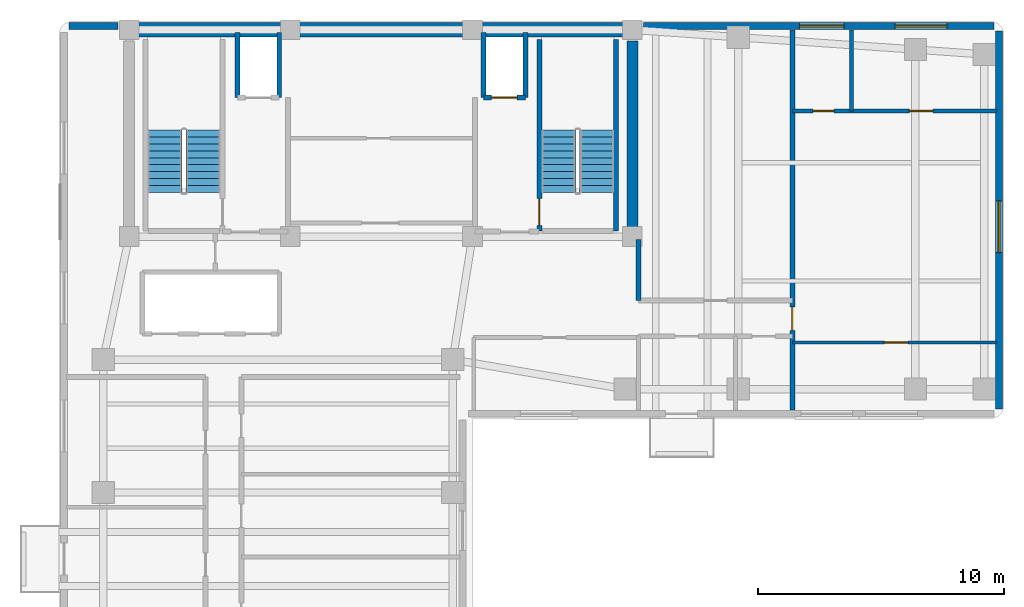
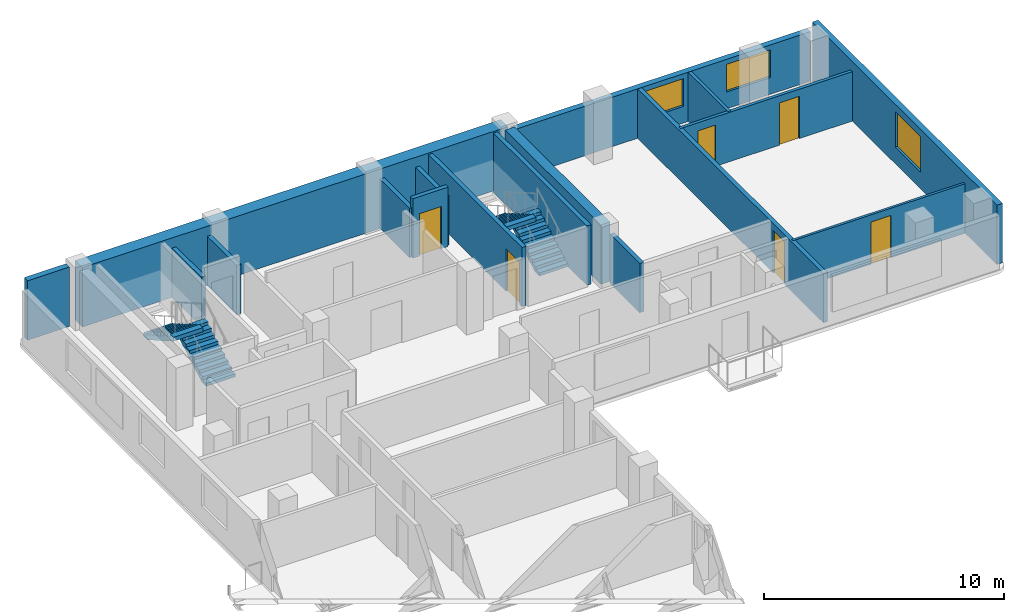
# One storey, part 4 of 6: 17 walls, 6 doors, 4 stair flights, 3 windows, 9 openings, 2 elements without a shape of their own.
"""IFC4 building model written with IfcOpenShell, lengths in metres."""

from ifc_helpers import new_model, si_unit, direction, frame, frame_2d, origin, place, context, subcontext, project, spatial, polyline, rectangle, outline, extrude, material, layer, layer_set, type_object, element, fill, aggregate, save


model = new_model("IFC4")

# Units and contexts
model_context = context("Model", 3, precision=1e-05, world=origin(), true_north=direction((0.0, 1.0)))
body_context = subcontext(model_context, "Body", "Model", "MODEL_VIEW")
ifc_project = project(units=[si_unit("LENGTHUNIT", "METRE"), si_unit("AREAUNIT", "SQUARE_METRE"), si_unit("VOLUMEUNIT", "CUBIC_METRE"), si_unit("PLANEANGLEUNIT", "RADIAN"), si_unit("MASSUNIT", "GRAM", prefix="KILO")], contexts=[model_context])

# Site, building, storey
site_placement = place(None, origin())
site = spatial("IfcSite", under=ifc_project, at=site_placement, CompositionType="ELEMENT")
building_placement = place(site_placement, origin())
building = spatial("IfcBuilding", under=site, at=building_placement, Name="Kuzgunbayir Cultural Tower", CompositionType="ELEMENT")
storey_placement = place(building_placement, frame((0.0, 0.0, 195.199951171875)))
storey = spatial("IfcBuildingStorey", under=building, at=storey_placement, Name="L57", CompositionType="ELEMENT", Elevation=195.199951171875)

# Walls
ifc_material_1 = material(Name="Concrete C50/60", Category="concrete")
ifc_layer_1 = layer(ifc_material_1, 0.449951171875)
ifc_layer_set_1 = layer_set([ifc_layer_1], Name="Concrete C50/60")
wall_type_1 = type_object("IfcWallType", Name="WAL-CORE-450", PredefinedType="SHEAR", material=ifc_layer_set_1)
wall_1_placement = place(storey_placement, frame((26.89990234375, 33.800048828125, 0.0), z_axis=(0.0, 0.0, 1.0), x_axis=(0.0, 1.0, 0.0)))
element("IfcWall", 1, at=wall_1_placement, inside=storey, type_object=wall_type_1, Name="L57 T1 Core East Shear Wall", PredefinedType="SHEAR", context=body_context, shape_type="SweptSolid", body=[
    extrude(rectangle(XDim=7.949951171875, YDim=0.449951171875, at=frame_2d((3.97509765625, 0.0))), origin(), (0.0, 0.0, 1.0), 3.02001953125),
])
ifc_material_2 = material(Name="Concrete C60/75", Category="concrete")
ifc_layer_2 = layer(ifc_material_2, 0.60009765625)
ifc_layer_set_2 = layer_set([ifc_layer_2], Name="Concrete C60/75")
wall_type_2 = type_object("IfcWallType", Name="WAL-CORE-600", PredefinedType="SHEAR", material=ifc_layer_set_2)
wall_2_placement = place(storey_placement, frame((6.449951171875, 42.199951171875, 0.0), z_axis=(0.0, 0.0, 1.0), x_axis=(1.0, 0.0, 0.0)))
element("IfcWall", 2, at=wall_2_placement, inside=storey, type_object=wall_type_2, Name="L57 T1 Core North Shear Wall", PredefinedType="SHEAR", context=body_context, shape_type="SweptSolid", body=[
    extrude(rectangle(XDim=20.449951171875, YDim=0.60009765625, at=frame_2d((10.22509765625, 0.0))), origin(), (0.0, 0.0, 1.0), 3.02001953125),
])

# Wall, openings, windows
ifc_material_3 = material(Name="Anatolian Cream Limestone", Category="masonry")
ifc_layer_3 = layer(ifc_material_3, 0.280029296875)
ifc_layer_set_3 = layer_set([ifc_layer_3], Name="Anatolian Cream Limestone")
wall_type_3 = type_object("IfcWallType", Name="WAL-EXT-STONE-280", PredefinedType="STANDARD", material=ifc_layer_set_3)
wall_3_placement = place(storey_placement, frame((41.60009765625, 42.35009765625, 0.0), z_axis=(0.0, 0.0, 1.0), x_axis=(-1.0, 0.0, 0.0)))
wall_3 = element("IfcWall", 3, at=wall_3_placement, inside=storey, type_object=wall_type_3, Name="L57 North Wing B Limestone Wall", PredefinedType="STANDARD", context=body_context, shape_type="SweptSolid", body=[
    extrude(rectangle(XDim=14.25, YDim=0.280029296875, at=frame_2d((7.125, 0.0))), origin(), (0.0, 0.0, 1.0), 2.510009765625),
])
opening_1_placement = place(wall_3_placement, frame((6.10009765625, 0.0, 0.85009765625)))
opening_1 = element("IfcOpeningElement", 4, at=opening_1_placement, cuts=wall_3, Name="Opening WH-18", PredefinedType="OPENING", context=body_context, shape_type="SweptSolid", body=[
    extrude(rectangle(XDim=1.800048828125, YDim=1.409912109375, at=frame_2d((0.89990234375, 0.705078125))), frame((0.0, 0.14990234375, 0.0), z_axis=(0.0, -1.0, 0.0), x_axis=(1.0, 0.0, 0.0)), (0.0, 0.0, 1.0), 0.300048828125),
])
opening_2_placement = place(wall_3_placement, frame((1.919921875, 0.0, 0.85009765625)))
opening_2 = element("IfcOpeningElement", 5, at=opening_2_placement, cuts=wall_3, Name="Opening WR-21", PredefinedType="OPENING", context=body_context, shape_type="SweptSolid", body=[
    extrude(rectangle(XDim=2.10009765625, YDim=1.409912109375, at=frame_2d((1.050048828125, 0.705078125))), frame((0.0, 0.14990234375, 0.0), z_axis=(0.0, -1.0, 0.0), x_axis=(1.0, 0.0, 0.0)), (0.0, 0.0, 1.0), 0.300048828125),
])
ifc_material_4 = material(Name="Solar-Control Triple Glazing", Category="glass")
window_type_1 = type_object("IfcWindowType", Name="WIN-HOTEL-18", PartitioningType="SINGLE_PANEL", PredefinedType="WINDOW", material=ifc_material_4)
window_1_placement = place(opening_1_placement, origin())
window_1 = element("IfcWindow", 6, at=window_1_placement, inside=storey, type_object=window_type_1, Name="L57 CRN Facade Window 8", OverallHeight=1.409912109375, OverallWidth=1.800048828125, PartitioningType="SINGLE_PANEL", PredefinedType="WINDOW", context=body_context, shape_type="SweptSolid", body=[
    extrude(rectangle(XDim=1.800048828125, YDim=1.409912109375, at=frame_2d((0.89990234375, 0.705078125))), frame((0.0, 0.030029296875, 0.0), z_axis=(0.0, -1.0, 0.0), x_axis=(1.0, 0.0, 0.0)), (0.0, 0.0, 1.0), 0.06005859375),
])
fill(opening_1, window_1)
window_type_2 = type_object("IfcWindowType", Name="WIN-RESID-21", PartitioningType="SINGLE_PANEL", PredefinedType="WINDOW", material=ifc_material_4)
window_2_placement = place(opening_2_placement, origin())
window_2 = element("IfcWindow", 7, at=window_2_placement, inside=storey, type_object=window_type_2, Name="L57 CRN Facade Window 9", OverallHeight=1.409912109375, OverallWidth=2.10009765625, PartitioningType="SINGLE_PANEL", PredefinedType="WINDOW", context=body_context, shape_type="SweptSolid", body=[
    extrude(rectangle(XDim=2.10009765625, YDim=1.409912109375, at=frame_2d((1.050048828125, 0.705078125))), frame((0.0, 0.030029296875, 0.0), z_axis=(0.0, -1.0, 0.0), x_axis=(1.0, 0.0, 0.0)), (0.0, 0.0, 1.0), 0.06005859375),
])
fill(opening_2, window_2)

# Wall
wall_4_placement = place(storey_placement, frame((6.0, 42.35009765625, 0.0), z_axis=(0.0, 0.0, 1.0), x_axis=(-1.0, 0.0, 0.0)))
element("IfcWall", 8, at=wall_4_placement, inside=storey, type_object=wall_type_3, Name="L57 Core North-West Spandrel Link", PredefinedType="STANDARD", context=body_context, shape_type="SweptSolid", body=[
    extrude(rectangle(XDim=2.0, YDim=0.280029296875, at=frame_2d((1.0, 0.0))), origin(), (0.0, 0.0, 1.0), 3.02001953125),
])

# Wall, opening, window
wall_5_placement = place(storey_placement, frame((41.800048828125, 26.800048828125, 0.0), z_axis=(0.0, 0.0, 1.0), x_axis=(0.0, 1.0, 0.0)))
wall_5 = element("IfcWall", 9, at=wall_5_placement, inside=storey, type_object=wall_type_3, Name="L57 Wing B East Limestone Wall", PredefinedType="STANDARD", context=body_context, shape_type="SweptSolid", body=[
    extrude(rectangle(XDim=15.349853515625, YDim=0.280029296875, at=frame_2d((7.6748046875, 0.0))), origin(), (0.0, 0.0, 1.0), 3.02001953125),
])
opening_3_placement = place(wall_5_placement, frame((6.35009765625, 0.0, 0.85009765625)))
opening_3 = element("IfcOpeningElement", 10, at=opening_3_placement, cuts=wall_5, Name="Opening WR-21", PredefinedType="OPENING", context=body_context, shape_type="SweptSolid", body=[
    extrude(rectangle(XDim=2.10009765625, YDim=1.800048828125, at=frame_2d((1.050048828125, 0.89990234375))), frame((0.0, 0.14990234375, 0.0), z_axis=(0.0, -1.0, 0.0), x_axis=(1.0, 0.0, 0.0)), (0.0, 0.0, 1.0), 0.300048828125),
])
window_3_placement = place(opening_3_placement, origin())
window_3 = element("IfcWindow", 11, at=window_3_placement, inside=storey, type_object=window_type_2, Name="L57 WBE Facade Window 6", OverallHeight=1.800048828125, OverallWidth=2.10009765625, PartitioningType="SINGLE_PANEL", PredefinedType="WINDOW", context=body_context, shape_type="SweptSolid", body=[
    extrude(rectangle(XDim=2.10009765625, YDim=1.800048828125, at=frame_2d((1.050048828125, 0.89990234375))), frame((0.0, 0.030029296875, 0.0), z_axis=(0.0, -1.0, 0.0), x_axis=(1.0, 0.0, 0.0)), (0.0, 0.0, 1.0), 0.06005859375),
])
fill(opening_3, window_3)

# Wall
ifc_material_5 = material(Name="Aerated Concrete Blockwork", Category="masonry")
ifc_layer_4 = layer(ifc_material_5, 0.199951171875)
ifc_layer_set_4 = layer_set([ifc_layer_4], Name="Aerated Concrete Blockwork")
wall_type_4 = type_object("IfcWallType", Name="WAL-PART-FIRE-200", PredefinedType="PARTITIONING", material=ifc_layer_set_4)
wall_6_placement = place(storey_placement, frame((27.14990234375, 31.199951171875, 0.0), z_axis=(0.0, 0.0, 1.0), x_axis=(0.0, 1.0, 0.0)))
element("IfcWall", 12, at=wall_6_placement, inside=storey, type_object=wall_type_4, Name="L57 Wing B Residence North Core Closure Wall", PredefinedType="PARTITIONING", context=body_context, shape_type="SweptSolid", body=[
    extrude(rectangle(XDim=2.47998046875, YDim=0.199951171875, at=frame_2d((1.239990234375, 0.0))), origin(), (0.0, 0.0, 1.0), 2.510009765625),
])

# Wall, opening, door
wall_7_placement = place(storey_placement, frame((33.39990234375, 26.75, 0.0), z_axis=(0.0, 0.0, 1.0), x_axis=(0.0, 1.0, 0.0)))
wall_7 = element("IfcWall", 13, at=wall_7_placement, inside=storey, type_object=wall_type_4, Name="L57 Apartment D Party Wall", PredefinedType="PARTITIONING", context=body_context, shape_type="SweptSolid", body=[
    extrude(rectangle(XDim=15.449951171875, YDim=0.199951171875, at=frame_2d((7.72509765625, 0.0))), origin(), (0.0, 0.0, 1.0), 2.510009765625),
])
opening_4_placement = place(wall_7_placement, frame((3.239990234375, 0.0, 0.0)))
opening_4 = element("IfcOpeningElement", 14, at=opening_4_placement, cuts=wall_7, Name="Opening DR-APT-60", PredefinedType="OPENING", context=body_context, shape_type="SweptSolid", body=[
    extrude(rectangle(XDim=0.949951171875, YDim=2.14990234375, at=frame_2d((0.47509765625, 1.074951171875))), frame((0.0, 0.10986328125, 0.0), z_axis=(0.0, -1.0, 0.0), x_axis=(1.0, 0.0, 0.0)), (0.0, 0.0, 1.0), 0.219970703125),
])
ifc_material_6 = material(Name="Acoustic Fire Timber Leaf", Category="wood")
door_type_1 = type_object("IfcDoorType", Name="DR-APT-60", OperationType="NOTDEFINED", PredefinedType="DOOR", material=ifc_material_6)
door_1_placement = place(opening_4_placement, origin())
door_1 = element("IfcDoor", 15, at=door_1_placement, inside=storey, type_object=door_type_1, Name="L57 Apartment D Entrance", OperationType="SINGLE_SWING_LEFT", OverallHeight=2.14990234375, OverallWidth=0.949951171875, PredefinedType="DOOR", context=body_context, shape_type="SweptSolid", body=[
    extrude(rectangle(XDim=0.949951171875, YDim=2.14990234375, at=frame_2d((0.47509765625, 1.074951171875))), frame((0.0, 0.02490234375, 0.0), z_axis=(0.0, -1.0, 0.0), x_axis=(1.0, 0.0, 0.0)), (0.0, 0.0, 1.0), 0.050048828125),
])
fill(opening_4, door_1)

ifc_material_7 = material(Name="Framed Gypsum Partition", Category="gypsum")
ifc_layer_5 = layer(ifc_material_7, 0.1201171875)
ifc_layer_set_5 = layer_set([ifc_layer_5], Name="Framed Gypsum Partition")
wall_type_5 = type_object("IfcWallType", Name="WAL-PART-INT-120", PredefinedType="PARTITIONING", material=ifc_layer_set_5)
wall_8_placement = place(storey_placement, frame((33.39990234375, 29.5, 0.0), z_axis=(0.0, 0.0, 1.0), x_axis=(1.0, 0.0, 0.0)))
wall_8 = element("IfcWall", 16, at=wall_8_placement, inside=storey, type_object=wall_type_5, Name="L57 Flat D Bedroom Wall", PredefinedType="PARTITIONING", context=body_context, shape_type="SweptSolid", body=[
    extrude(rectangle(XDim=8.300048828125, YDim=0.1201171875, at=frame_2d((4.14990234375, 0.0))), origin(), (0.0, 0.0, 1.0), 2.510009765625),
])
opening_5_placement = place(wall_8_placement, frame((3.739990234375, 0.0, 0.0)))
opening_5 = element("IfcOpeningElement", 17, at=opening_5_placement, cuts=wall_8, Name="Opening DI-90", PredefinedType="OPENING", context=body_context, shape_type="SweptSolid", body=[
    extrude(rectangle(XDim=0.949951171875, YDim=2.14990234375, at=frame_2d((0.47509765625, 1.074951171875))), frame((0.0, 0.070068359375, 0.0), z_axis=(0.0, -1.0, 0.0), x_axis=(1.0, 0.0, 0.0)), (0.0, 0.0, 1.0), 0.14013671875),
])
ifc_material_8 = material(Name="Veneered Oak Single Leaf", Category="wood")
door_type_2 = type_object("IfcDoorType", Name="DR-INT-90", OperationType="NOTDEFINED", PredefinedType="DOOR", material=ifc_material_8)
door_2_placement = place(opening_5_placement, origin())
door_2 = element("IfcDoor", 18, at=door_2_placement, inside=storey, type_object=door_type_2, Name="L57 Apartment D Bedroom Door", OperationType="SINGLE_SWING_RIGHT", OverallHeight=2.14990234375, OverallWidth=0.949951171875, PredefinedType="DOOR", context=body_context, shape_type="SweptSolid", body=[
    extrude(rectangle(XDim=0.949951171875, YDim=2.14990234375, at=frame_2d((0.47509765625, 1.074951171875))), frame((0.0, 0.02490234375, 0.0), z_axis=(0.0, -1.0, 0.0), x_axis=(1.0, 0.0, 0.0)), (0.0, 0.0, 1.0), 0.050048828125),
])
fill(opening_5, door_2)

# Wall, openings, doors
ifc_material_9 = material(Name="Moisture-Resistant Tile Partition", Category="gypsum")
ifc_layer_6 = layer(ifc_material_9, 0.14990234375)
ifc_layer_set_6 = layer_set([ifc_layer_6], Name="Moisture-Resistant Tile Partition")
wall_type_6 = type_object("IfcWallType", Name="WAL-PART-WET-150", PredefinedType="PARTITIONING", material=ifc_layer_set_6)
wall_9_placement = place(storey_placement, frame((33.39990234375, 38.89990234375, 0.0), z_axis=(0.0, 0.0, 1.0), x_axis=(1.0, 0.0, 0.0)))
wall_9 = element("IfcWall", 19, at=wall_9_placement, inside=storey, type_object=wall_type_6, Name="L57 Flat D Service Wall", PredefinedType="PARTITIONING", context=body_context, shape_type="SweptSolid", body=[
    extrude(rectangle(XDim=8.300048828125, YDim=0.14990234375, at=frame_2d((4.14990234375, 0.0))), origin(), (0.0, 0.0, 1.0), 2.510009765625),
])
opening_6_placement = place(wall_9_placement, frame((0.840087890625, 0.0, 0.0)))
opening_6 = element("IfcOpeningElement", 20, at=opening_6_placement, cuts=wall_9, Name="Opening DW-85", PredefinedType="OPENING", context=body_context, shape_type="SweptSolid", body=[
    extrude(rectangle(XDim=0.85009765625, YDim=2.10009765625, at=frame_2d((0.425048828125, 1.050048828125))), frame((0.0, 0.0849609375, 0.0), z_axis=(0.0, -1.0, 0.0), x_axis=(1.0, 0.0, 0.0)), (0.0, 0.0, 1.0), 0.169921875),
])
opening_7_placement = place(wall_9_placement, frame((4.760009765625, 0.0, 0.0)))
opening_7 = element("IfcOpeningElement", 21, at=opening_7_placement, cuts=wall_9, Name="Opening DI-90", PredefinedType="OPENING", context=body_context, shape_type="SweptSolid", body=[
    extrude(rectangle(XDim=0.949951171875, YDim=2.14990234375, at=frame_2d((0.47509765625, 1.074951171875))), frame((0.0, 0.0849609375, 0.0), z_axis=(0.0, -1.0, 0.0), x_axis=(1.0, 0.0, 0.0)), (0.0, 0.0, 1.0), 0.169921875),
])
door_3_placement = place(opening_7_placement, origin())
door_3 = element("IfcDoor", 22, at=door_3_placement, inside=storey, type_object=door_type_2, Name="L57 Apartment D Kitchen Door", OperationType="SINGLE_SWING_RIGHT", OverallHeight=2.14990234375, OverallWidth=0.949951171875, PredefinedType="DOOR", context=body_context, shape_type="SweptSolid", body=[
    extrude(rectangle(XDim=0.949951171875, YDim=2.14990234375, at=frame_2d((0.47509765625, 1.074951171875))), frame((0.0, 0.02490234375, 0.0), z_axis=(0.0, -1.0, 0.0), x_axis=(1.0, 0.0, 0.0)), (0.0, 0.0, 1.0), 0.050048828125),
])
fill(opening_7, door_3)
ifc_material_10 = material(Name="Laminate Moisture-Resistant Leaf", Category="wood")
door_type_3 = type_object("IfcDoorType", Name="DR-WET-85", OperationType="NOTDEFINED", PredefinedType="DOOR", material=ifc_material_10)
door_4_placement = place(opening_6_placement, origin())
door_4 = element("IfcDoor", 23, at=door_4_placement, inside=storey, type_object=door_type_3, Name="L57 Apartment D Bathroom Door", OperationType="SINGLE_SWING_LEFT", OverallHeight=2.10009765625, OverallWidth=0.85009765625, PredefinedType="DOOR", context=body_context, shape_type="SweptSolid", body=[
    extrude(rectangle(XDim=0.85009765625, YDim=2.10009765625, at=frame_2d((0.425048828125, 1.050048828125))), frame((0.0, 0.02490234375, 0.0), z_axis=(0.0, -1.0, 0.0), x_axis=(1.0, 0.0, 0.0)), (0.0, 0.0, 1.0), 0.050048828125),
])
fill(opening_6, door_4)

# Wall
wall_10_placement = place(storey_placement, frame((35.800048828125, 38.89990234375, 0.0), z_axis=(0.0, 0.0, 1.0), x_axis=(0.0, 1.0, 0.0)))
element("IfcWall", 24, at=wall_10_placement, inside=storey, type_object=wall_type_6, Name="L57 Flat D Bath Divider", PredefinedType="PARTITIONING", context=body_context, shape_type="SweptSolid", body=[
    extrude(rectangle(XDim=3.300048828125, YDim=0.14990234375, at=frame_2d((1.64990234375, 0.0))), origin(), (0.0, 0.0, 1.0), 2.510009765625),
])

# Wall, opening, door
ifc_material_11 = material(Name="Concrete C40/50", Category="concrete")
ifc_layer_7 = layer(ifc_material_11, 0.199951171875)
ifc_layer_set_7 = layer_set([ifc_layer_7], Name="Concrete C40/50")
wall_type_7 = type_object("IfcWallType", Name="WAL-SHAFT-200", PredefinedType="MOVABLE", material=ifc_layer_set_7)
wall_11_placement = place(storey_placement, frame((20.85009765625, 39.449951171875, 0.0), z_axis=(0.0, 0.0, 1.0), x_axis=(1.0, 0.0, 0.0)))
wall_11 = element("IfcWall", 25, at=wall_11_placement, inside=storey, type_object=wall_type_7, Name="L57 FFL-2 Lift Front Wall", PredefinedType="MOVABLE", context=body_context, shape_type="SweptSolid", body=[
    extrude(rectangle(XDim=1.699951171875, YDim=0.199951171875, at=frame_2d((0.85009765625, 0.0))), origin(), (0.0, 0.0, 1.0), 3.02001953125),
])
opening_8_placement = place(wall_11_placement, frame((0.320068359375, 0.0, 0.0)))
opening_8 = element("IfcOpeningElement", 26, at=opening_8_placement, cuts=wall_11, Name="Opening LD", PredefinedType="OPENING", context=body_context, shape_type="SweptSolid", body=[
    extrude(rectangle(XDim=1.050048828125, YDim=2.14990234375, at=frame_2d((0.52490234375, 1.074951171875))), frame((0.0, 0.10986328125, 0.0), z_axis=(0.0, -1.0, 0.0), x_axis=(1.0, 0.0, 0.0)), (0.0, 0.0, 1.0), 0.219970703125),
])
ifc_material_12 = material(Name="Brushed Stainless Steel", Category="steel")
door_type_4 = type_object("IfcDoorType", Name="DR-LIFT-LANDING", OperationType="SLIDING_TO_LEFT", PredefinedType="DOOR", material=ifc_material_12)
door_5_placement = place(opening_8_placement, origin())
door_5 = element("IfcDoor", 27, at=door_5_placement, inside=storey, type_object=door_type_4, Name="L57 Lift FFL-2 Landing Door", OperationType="SLIDING_TO_LEFT", OverallHeight=2.14990234375, OverallWidth=1.050048828125, PredefinedType="DOOR", context=body_context, shape_type="SweptSolid", body=[
    extrude(rectangle(XDim=1.050048828125, YDim=2.14990234375, at=frame_2d((0.52490234375, 1.074951171875))), frame((0.0, 0.02490234375, 0.0), z_axis=(0.0, -1.0, 0.0), x_axis=(1.0, 0.0, 0.0)), (0.0, 0.0, 1.0), 0.050048828125),
])
fill(opening_8, door_5)

# Walls
for number, where, z_axis, x_axis, name in (
    (28, (10.85009765625, 39.449951171875, 0.0), (0.0, 0.0, 1.0), (0.0, 1.0, 0.0), "L57 FFL-1 Shaft West Wall"),
    (29, (12.550048828125, 39.449951171875, 0.0), (0.0, 0.0, 1.0), (0.0, 1.0, 0.0), "L57 FFL-1 Shaft East Wall"),
    (30, (20.85009765625, 39.449951171875, 0.0), (0.0, 0.0, 1.0), (0.0, 1.0, 0.0), "L57 FFL-2 Shaft West Wall"),
    (31, (22.550048828125, 39.449951171875, 0.0), (0.0, 0.0, 1.0), (0.0, 1.0, 0.0), "L57 FFL-2 Shaft East Wall"),
):
    element("IfcWall", number, at=place(storey_placement, frame(where, z_axis=z_axis, x_axis=x_axis)), inside=storey, type_object=wall_type_7, Name=name, PredefinedType="MOVABLE", context=body_context, shape_type="SweptSolid", body=[
        extrude(rectangle(XDim=2.650146484375, YDim=0.199951171875, at=frame_2d((1.3251953125, 0.0))), origin(), (0.0, 0.0, 1.0), 2.510009765625),
    ])

# Wall, opening, door
ifc_layer_8 = layer(ifc_material_11, 0.199951171875)
ifc_layer_set_8 = layer_set([ifc_layer_8], Name="Concrete C40/50")
wall_type_8 = type_object("IfcWallType", Name="WAL-STAIR-RC-200", PredefinedType="SHEAR", material=ifc_layer_set_8)
wall_12_placement = place(storey_placement, frame((23.1201171875, 34.02001953125, 0.0), z_axis=(0.0, 0.0, 1.0), x_axis=(0.0, 1.0, 0.0)))
wall_12 = element("IfcWall", 32, at=wall_12_placement, inside=storey, type_object=wall_type_8, Name="L57 Stair ST-2 West Structural Wall", PredefinedType="SHEAR", context=body_context, shape_type="SweptSolid", body=[
    extrude(rectangle(XDim=7.780029296875, YDim=0.199951171875, at=frame_2d((3.89013671875, 0.0))), origin(), (0.0, 0.0, 1.0), 3.02001953125),
])
opening_9_placement = place(wall_12_placement, frame((0.219970703125, 0.0, 0.0)))
opening_9 = element("IfcOpeningElement", 33, at=opening_9_placement, cuts=wall_12, Name="Opening DR-STAIR-90", PredefinedType="OPENING", context=body_context, shape_type="SweptSolid", body=[
    extrude(rectangle(XDim=1.10009765625, YDim=2.14990234375, at=frame_2d((0.550048828125, 1.074951171875))), frame((0.0, 0.10986328125, 0.0), z_axis=(0.0, -1.0, 0.0), x_axis=(1.0, 0.0, 0.0)), (0.0, 0.0, 1.0), 0.219970703125),
])
ifc_material_13 = material(Name="Steel S355J2", Category="steel")
door_type_5 = type_object("IfcDoorType", Name="DR-STAIR-90", OperationType="NOTDEFINED", PredefinedType="DOOR", material=ifc_material_13)
door_6_placement = place(opening_9_placement, origin())
door_6 = element("IfcDoor", 34, at=door_6_placement, inside=storey, type_object=door_type_5, Name="L57 Stair ST-2 Fire Door", OperationType="SINGLE_SWING_LEFT", OverallHeight=2.14990234375, OverallWidth=1.10009765625, PredefinedType="DOOR", context=body_context, shape_type="SweptSolid", body=[
    extrude(rectangle(XDim=1.10009765625, YDim=2.14990234375, at=frame_2d((0.550048828125, 1.074951171875))), frame((0.0, 0.02490234375, 0.0), z_axis=(0.0, -1.0, 0.0), x_axis=(1.0, 0.0, 0.0)), (0.0, 0.0, 1.0), 0.050048828125),
])
fill(opening_9, door_6)

# Wall
wall_13_placement = place(storey_placement, frame((26.239990234375, 34.02001953125, 0.0), z_axis=(0.0, 0.0, 1.0), x_axis=(0.0, 1.0, 0.0)))
element("IfcWall", 35, at=wall_13_placement, inside=storey, type_object=wall_type_8, Name="L57 Stair ST-2 East Structural Wall", PredefinedType="SHEAR", context=body_context, shape_type="SweptSolid", body=[
    extrude(rectangle(XDim=7.780029296875, YDim=0.199951171875, at=frame_2d((3.89013671875, 0.0))), origin(), (0.0, 0.0, 1.0), 3.02001953125),
])

# Stair, stair flights
stair_type = type_object("IfcStairType", Name="STR-EXIT-CORE", PredefinedType="HALF_TURN_STAIR", material=ifc_material_11)
stair_1_placement = place(storey_placement, origin())
stair_1 = element("IfcStair", 36, at=stair_1_placement, inside=storey, type_object=stair_type, Name="L57 ST-1", PredefinedType="HALF_TURN_STAIR")
stair_flight_type = type_object("IfcStairFlightType", Name="STRF-RC-140", PredefinedType="STRAIGHT", material=ifc_material_11)
stair_flight_1_placement = place(storey_placement, frame((9.4599609375, 35.60009765625, 0.0), z_axis=(0.0, 0.0, 1.0), x_axis=(0.0, 1.0, 0.0)))
stair_flight_1 = element("IfcStairFlight", 37, at=stair_flight_1_placement, type_object=stair_flight_type, Name="ST-1 flight 1", NumberOfRisers=10, NumberOfTreads=9, PredefinedType="STRAIGHT", RiserHeight=0.16, TreadLength=0.28, context=body_context, shape_type="SweptSolid", body=[
    extrude(outline(polyline([(0.0, 0.0), (0.0, 0.159912109375), (0.280029296875, 0.159912109375), (0.280029296875, 0.320068359375), (0.56005859375, 0.320068359375), (0.56005859375, 0.47998046875), (0.840087890625, 0.47998046875), (0.840087890625, 0.639892578125), (1.1201171875, 0.639892578125), (1.1201171875, 0.800048828125), (1.39990234375, 0.800048828125), (1.39990234375, 0.9599609375), (1.679931640625, 0.9599609375), (1.679931640625, 1.1201171875), (1.9599609375, 1.1201171875), (1.9599609375, 1.280029296875), (2.239990234375, 1.280029296875), (2.239990234375, 1.43994140625), (2.52001953125, 1.43994140625), (2.52001953125, 1.60009765625), (2.52001953125, 1.232666015625), (0.362548828125, 0.0), (0.0, 0.0)])), frame((0.0, 0.699951171875, 0.0), z_axis=(0.0, -1.0, 0.0), x_axis=(1.0, 0.0, 0.0)), (0.0, 0.0, 1.0), 1.39990234375),
])
stair_flight_2_placement = place(storey_placement, frame((7.89990234375, 38.1201171875, 1.60009765625), z_axis=(0.0, 0.0, 1.0), x_axis=(0.0, -1.0, 0.0)))
stair_flight_2 = element("IfcStairFlight", 38, at=stair_flight_2_placement, type_object=stair_flight_type, Name="ST-1 flight 2", NumberOfRisers=10, NumberOfTreads=9, PredefinedType="STRAIGHT", RiserHeight=0.16, TreadLength=0.28, context=body_context, shape_type="SweptSolid", body=[
    extrude(outline(polyline([(0.0, 0.0), (0.0, 0.159912109375), (0.280029296875, 0.159912109375), (0.280029296875, 0.320068359375), (0.56005859375, 0.320068359375), (0.56005859375, 0.47998046875), (0.840087890625, 0.47998046875), (0.840087890625, 0.639892578125), (1.1201171875, 0.639892578125), (1.1201171875, 0.800048828125), (1.39990234375, 0.800048828125), (1.39990234375, 0.9599609375), (1.679931640625, 0.9599609375), (1.679931640625, 1.1201171875), (1.9599609375, 1.1201171875), (1.9599609375, 1.280029296875), (2.239990234375, 1.280029296875), (2.239990234375, 1.43994140625), (2.52001953125, 1.43994140625), (2.52001953125, 1.60009765625), (2.52001953125, 1.232666015625), (0.362548828125, 0.0), (0.0, 0.0)])), frame((0.0, 0.699951171875, 0.0), z_axis=(0.0, -1.0, 0.0), x_axis=(1.0, 0.0, 0.0)), (0.0, 0.0, 1.0), 1.39990234375),
])
aggregate(stair_1, [stair_flight_1, stair_flight_2])

stair_2_placement = place(storey_placement, origin())
stair_2 = element("IfcStair", 39, at=stair_2_placement, inside=storey, type_object=stair_type, Name="L57 ST-2", PredefinedType="HALF_TURN_STAIR")
stair_flight_3_placement = place(storey_placement, frame((25.4599609375, 35.60009765625, 0.0), z_axis=(0.0, 0.0, 1.0), x_axis=(0.0, 1.0, 0.0)))
stair_flight_3 = element("IfcStairFlight", 40, at=stair_flight_3_placement, type_object=stair_flight_type, Name="ST-2 flight 1", NumberOfRisers=10, NumberOfTreads=9, PredefinedType="STRAIGHT", RiserHeight=0.16, TreadLength=0.28, context=body_context, shape_type="SweptSolid", body=[
    extrude(outline(polyline([(0.0, 0.0), (0.0, 0.159912109375), (0.280029296875, 0.159912109375), (0.280029296875, 0.320068359375), (0.56005859375, 0.320068359375), (0.56005859375, 0.47998046875), (0.840087890625, 0.47998046875), (0.840087890625, 0.639892578125), (1.1201171875, 0.639892578125), (1.1201171875, 0.800048828125), (1.39990234375, 0.800048828125), (1.39990234375, 0.9599609375), (1.679931640625, 0.9599609375), (1.679931640625, 1.1201171875), (1.9599609375, 1.1201171875), (1.9599609375, 1.280029296875), (2.239990234375, 1.280029296875), (2.239990234375, 1.43994140625), (2.52001953125, 1.43994140625), (2.52001953125, 1.60009765625), (2.52001953125, 1.232666015625), (0.362548828125, 0.0), (0.0, 0.0)])), frame((0.0, 0.699951171875, 0.0), z_axis=(0.0, -1.0, 0.0), x_axis=(1.0, 0.0, 0.0)), (0.0, 0.0, 1.0), 1.39990234375),
])
stair_flight_4_placement = place(storey_placement, frame((23.89990234375, 38.1201171875, 1.60009765625), z_axis=(0.0, 0.0, 1.0), x_axis=(0.0, -1.0, 0.0)))
stair_flight_4 = element("IfcStairFlight", 41, at=stair_flight_4_placement, type_object=stair_flight_type, Name="ST-2 flight 2", NumberOfRisers=10, NumberOfTreads=9, PredefinedType="STRAIGHT", RiserHeight=0.16, TreadLength=0.28, context=body_context, shape_type="SweptSolid", body=[
    extrude(outline(polyline([(0.0, 0.0), (0.0, 0.159912109375), (0.280029296875, 0.159912109375), (0.280029296875, 0.320068359375), (0.56005859375, 0.320068359375), (0.56005859375, 0.47998046875), (0.840087890625, 0.47998046875), (0.840087890625, 0.639892578125), (1.1201171875, 0.639892578125), (1.1201171875, 0.800048828125), (1.39990234375, 0.800048828125), (1.39990234375, 0.9599609375), (1.679931640625, 0.9599609375), (1.679931640625, 1.1201171875), (1.9599609375, 1.1201171875), (1.9599609375, 1.280029296875), (2.239990234375, 1.280029296875), (2.239990234375, 1.43994140625), (2.52001953125, 1.43994140625), (2.52001953125, 1.60009765625), (2.52001953125, 1.232666015625), (0.362548828125, 0.0), (0.0, 0.0)])), frame((0.0, 0.699951171875, 0.0), z_axis=(0.0, -1.0, 0.0), x_axis=(1.0, 0.0, 0.0)), (0.0, 0.0, 1.0), 1.39990234375),
])
aggregate(stair_2, [stair_flight_3, stair_flight_4])

save(model, "model.ifc")
